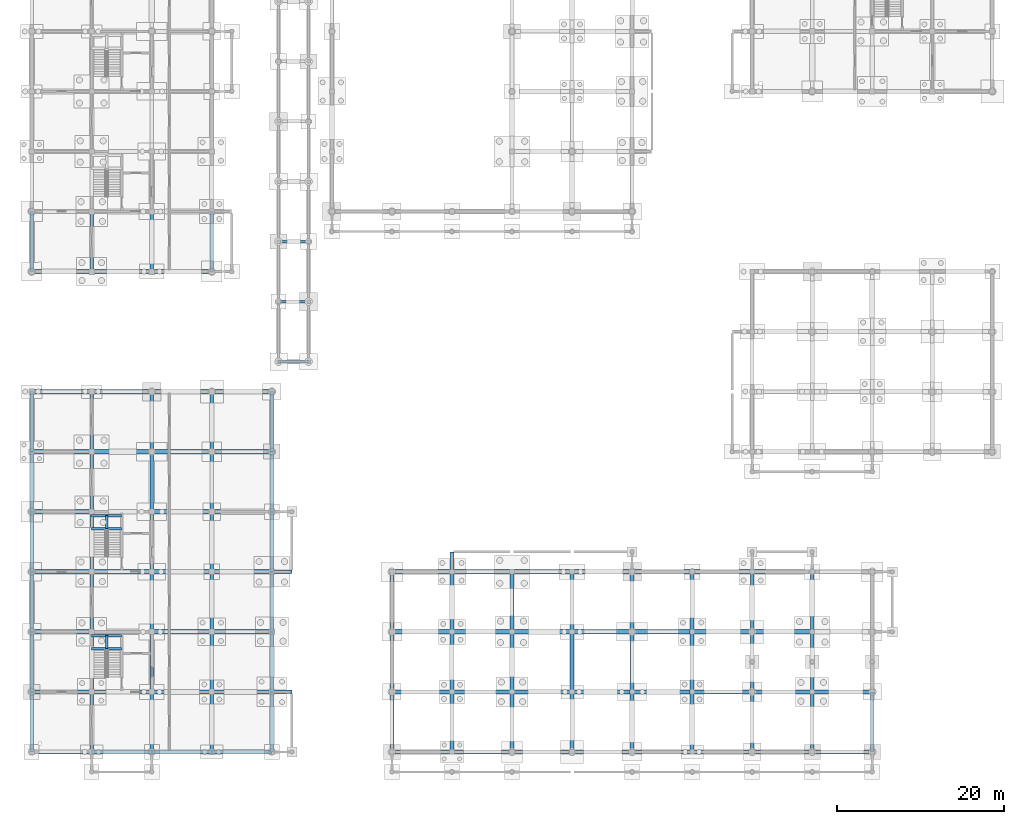
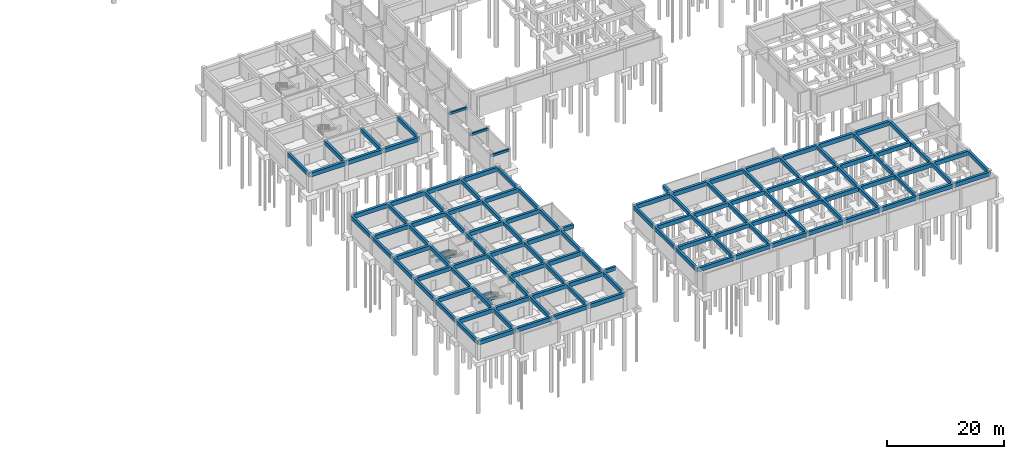
# One storey, part 20 of 38: 130 beams.
"""IFC4 building model written with IfcOpenShell, lengths in metres."""

from ifc_helpers import new_model, si_unit, direction, frame, origin, origin_2d, place, context, subcontext, project, spatial, rectangle, extrude, material, material_profile, profile_set, type_object, element, save


model = new_model("IFC4")

# Units and contexts
model_context = context("Model", 3, precision=1e-05, world=origin(), true_north=direction((0.0, 1.0)))
body_context = subcontext(model_context, "Body", "Model", "MODEL_VIEW")
ifc_project = project(units=[si_unit("LENGTHUNIT", "METRE"), si_unit("AREAUNIT", "SQUARE_METRE"), si_unit("VOLUMEUNIT", "CUBIC_METRE"), si_unit("PLANEANGLEUNIT", "RADIAN"), si_unit("MASSUNIT", "GRAM", prefix="KILO"), si_unit("THERMODYNAMICTEMPERATUREUNIT", "KELVIN"), si_unit("POWERUNIT", "WATT")], contexts=[model_context])

# Site, building, storey
site_placement = place(None, origin())
site = spatial("IfcSite", under=ifc_project, at=site_placement, CompositionType="ELEMENT")
building_placement = place(site_placement, origin())
building = spatial("IfcBuilding", under=site, at=building_placement, Name="Tavuni Mirador Residences", CompositionType="ELEMENT")
storey_placement = place(building_placement, frame((0.0, 0.0, -4.199951171875)))
storey = spatial("IfcBuildingStorey", under=building, at=storey_placement, Name="B1", CompositionType="ELEMENT", Elevation=-4.199951171875)

# Beams
ifc_material = material(Name="Precast concrete C40/50", Category="concrete")
ifc_material_profile_1 = material_profile(ifc_material, rectangle(XDim=0.300048828125, YDim=0.5, at=origin_2d()), Name="PC 300x500", Category="concrete")
ifc_profile_set_1 = profile_set([ifc_material_profile_1], Name="Precast concrete C40/50")
beam_type_1 = type_object("IfcBeamType", Name="BT-B500", PredefinedType="BEAM", material=ifc_profile_set_1)
for number, where, z_axis, x_axis, name in (
    (1, (33.199951171875, 54.0, 3.64990234375), (1.0, 0.0, 0.0), (0.0, 1.0, 0.0), "BMX-PAV-COL-B1-00-00"),
    (2, (33.199951171875, 61.199951171875, 3.64990234375), (1.0, 0.0, 0.0), (0.0, 1.0, 0.0), "BMX-PAV-COL-B1-00-01"),
    (3, (33.199951171875, 68.39990234375, 3.64990234375), (1.0, 0.0, 0.0), (0.0, 1.0, 0.0), "BMX-PAV-COL-B1-00-02"),
):
    element("IfcBeam", number, at=place(storey_placement, frame(where, z_axis=z_axis, x_axis=x_axis)), inside=storey, type_object=beam_type_1, Name=name, PredefinedType="BEAM", context=body_context, shape_type="SweptSolid", body=[
        extrude(rectangle(XDim=0.300048828125, YDim=0.5, at=origin_2d()), origin(), (0.0, 0.0, 1.0), 3.60009765625),
    ])
for number, where, z_axis, x_axis, name in (
    (4, (10.800048828125, 19.590087890625, 1.669921875), (1.0, 0.0, 0.0), (0.0, 1.0, 0.0), "HLB1-C1-B1"),
    (5, (10.800048828125, 21.14990234375, 1.669921875), (1.0, 0.0, 0.0), (0.0, 1.0, 0.0), "HLB2-C1-B1"),
):
    element("IfcBeam", number, at=place(storey_placement, frame(where, z_axis=z_axis, x_axis=x_axis)), inside=storey, type_object=beam_type_1, Name=name, PredefinedType="BEAM", context=body_context, shape_type="SweptSolid", body=[
        extrude(rectangle(XDim=0.300048828125, YDim=0.5, at=origin_2d()), origin(), (0.0, 0.0, 1.0), 3.599853515625),
    ])
beam_1_placement = place(storey_placement, frame((12.60009765625, 19.590087890625, 1.669921875), z_axis=(0.0, 1.0, 0.0), x_axis=(-1.0, 0.0, 0.0)))
element("IfcBeam", 6, at=beam_1_placement, inside=storey, type_object=beam_type_1, Name="HLB3-C1-B1", PredefinedType="BEAM", context=body_context, shape_type="SweptSolid", body=[
    extrude(rectangle(XDim=0.300048828125, YDim=0.5, at=origin_2d()), origin(), (0.0, 0.0, 1.0), 1.559814453125),
])
for number, where, z_axis, x_axis, name in (
    (7, (10.800048828125, 33.989990234375, 1.669921875), (1.0, 0.0, 0.0), (0.0, 1.0, 0.0), "HLB1-C2-B1"),
    (8, (10.800048828125, 35.550048828125, 1.669921875), (1.0, 0.0, 0.0), (0.0, 1.0, 0.0), "HLB2-C2-B1"),
):
    element("IfcBeam", number, at=place(storey_placement, frame(where, z_axis=z_axis, x_axis=x_axis)), inside=storey, type_object=beam_type_1, Name=name, PredefinedType="BEAM", context=body_context, shape_type="SweptSolid", body=[
        extrude(rectangle(XDim=0.300048828125, YDim=0.5, at=origin_2d()), origin(), (0.0, 0.0, 1.0), 3.599853515625),
    ])
beam_2_placement = place(storey_placement, frame((12.60009765625, 33.989990234375, 1.669921875), z_axis=(0.0, 1.0, 0.0), x_axis=(-1.0, 0.0, 0.0)))
element("IfcBeam", 9, at=beam_2_placement, inside=storey, type_object=beam_type_1, Name="HLB3-C2-B1", PredefinedType="BEAM", context=body_context, shape_type="SweptSolid", body=[
    extrude(rectangle(XDim=0.300048828125, YDim=0.5, at=origin_2d()), origin(), (0.0, 0.0, 1.0), 1.56005859375),
])
ifc_material_profile_2 = material_profile(ifc_material, rectangle(XDim=0.449951171875, YDim=0.800048828125, at=origin_2d()), Name="RC 450x800", Category="concrete")
ifc_profile_set_2 = profile_set([ifc_material_profile_2], Name="Precast concrete C40/50")
beam_type_2 = type_object("IfcBeamType", Name="BT-G800", PredefinedType="USERDEFINED", material=ifc_profile_set_2)
beam_3_placement = place(storey_placement, frame((46.800048828125, 7.199951171875, 3.5), z_axis=(0.0, 1.0, 0.0), x_axis=(-1.0, 0.0, 0.0)))
element("IfcBeam", 10, at=beam_3_placement, inside=storey, type_object=beam_type_2, Name="BMY-PAV-SHOP-B1-00-00", ObjectType="GIRDER", PredefinedType="USERDEFINED", context=body_context, shape_type="SweptSolid", body=[
    extrude(rectangle(XDim=0.449951171875, YDim=0.800048828125, at=origin_2d()), origin(), (0.0, 0.0, 1.0), 7.199951171875),
])
beam_4_placement = place(storey_placement, frame((46.800048828125, 14.39990234375, 3.5), z_axis=(0.0, 1.0, 0.0), x_axis=(-1.0, 0.0, 0.0)))
element("IfcBeam", 11, at=beam_4_placement, inside=storey, type_object=beam_type_2, Name="BMY-PAV-SHOP-B1-00-01", ObjectType="GIRDER", PredefinedType="USERDEFINED", context=body_context, shape_type="SweptSolid", body=[
    extrude(rectangle(XDim=0.449951171875, YDim=0.800048828125, at=origin_2d()), origin(), (0.0, 0.0, 1.0), 7.2001953125),
])
for number, where, z_axis, x_axis, name in (
    (12, (46.800048828125, 21.60009765625, 3.5), (0.0, 1.0, 0.0), (-1.0, 0.0, 0.0), "BMY-PAV-SHOP-B1-00-02"),
    (13, (54.0, 7.199951171875, 3.5), (0.0, 1.0, 0.0), (-1.0, 0.0, 0.0), "BMY-PAV-SHOP-B1-01-00"),
):
    element("IfcBeam", number, at=place(storey_placement, frame(where, z_axis=z_axis, x_axis=x_axis)), inside=storey, type_object=beam_type_2, Name=name, ObjectType="GIRDER", PredefinedType="USERDEFINED", context=body_context, shape_type="SweptSolid", body=[
        extrude(rectangle(XDim=0.449951171875, YDim=0.800048828125, at=origin_2d()), origin(), (0.0, 0.0, 1.0), 7.199951171875),
    ])
beam_5_placement = place(storey_placement, frame((54.0, 14.39990234375, 3.5), z_axis=(0.0, 1.0, 0.0), x_axis=(-1.0, 0.0, 0.0)))
element("IfcBeam", 14, at=beam_5_placement, inside=storey, type_object=beam_type_2, Name="BMY-PAV-SHOP-B1-01-01", ObjectType="GIRDER", PredefinedType="USERDEFINED", context=body_context, shape_type="SweptSolid", body=[
    extrude(rectangle(XDim=0.449951171875, YDim=0.800048828125, at=origin_2d()), origin(), (0.0, 0.0, 1.0), 7.2001953125),
])
for number, where, z_axis, x_axis, name in (
    (15, (54.0, 21.60009765625, 3.5), (0.0, 1.0, 0.0), (-1.0, 0.0, 0.0), "BMY-PAV-SHOP-B1-01-02"),
    (16, (61.199951171875, 7.199951171875, 3.5), (0.0, 1.0, 0.0), (-1.0, 0.0, 0.0), "BMY-PAV-SHOP-B1-02-00"),
):
    element("IfcBeam", number, at=place(storey_placement, frame(where, z_axis=z_axis, x_axis=x_axis)), inside=storey, type_object=beam_type_2, Name=name, ObjectType="GIRDER", PredefinedType="USERDEFINED", context=body_context, shape_type="SweptSolid", body=[
        extrude(rectangle(XDim=0.449951171875, YDim=0.800048828125, at=origin_2d()), origin(), (0.0, 0.0, 1.0), 7.199951171875),
    ])
beam_6_placement = place(storey_placement, frame((61.199951171875, 14.39990234375, 3.5), z_axis=(0.0, 1.0, 0.0), x_axis=(-1.0, 0.0, 0.0)))
element("IfcBeam", 17, at=beam_6_placement, inside=storey, type_object=beam_type_2, Name="BMY-PAV-SHOP-B1-02-01", ObjectType="GIRDER", PredefinedType="USERDEFINED", context=body_context, shape_type="SweptSolid", body=[
    extrude(rectangle(XDim=0.449951171875, YDim=0.800048828125, at=origin_2d()), origin(), (0.0, 0.0, 1.0), 7.2001953125),
])
for number, where, z_axis, x_axis, name in (
    (18, (61.199951171875, 21.60009765625, 3.5), (0.0, 1.0, 0.0), (-1.0, 0.0, 0.0), "BMY-PAV-SHOP-B1-02-02"),
    (19, (68.39990234375, 7.199951171875, 3.5), (0.0, 1.0, 0.0), (-1.0, 0.0, 0.0), "BMY-PAV-SHOP-B1-03-00"),
):
    element("IfcBeam", number, at=place(storey_placement, frame(where, z_axis=z_axis, x_axis=x_axis)), inside=storey, type_object=beam_type_2, Name=name, ObjectType="GIRDER", PredefinedType="USERDEFINED", context=body_context, shape_type="SweptSolid", body=[
        extrude(rectangle(XDim=0.449951171875, YDim=0.800048828125, at=origin_2d()), origin(), (0.0, 0.0, 1.0), 7.199951171875),
    ])
beam_7_placement = place(storey_placement, frame((68.39990234375, 14.39990234375, 3.5), z_axis=(0.0, 1.0, 0.0), x_axis=(-1.0, 0.0, 0.0)))
element("IfcBeam", 20, at=beam_7_placement, inside=storey, type_object=beam_type_2, Name="BMY-PAV-SHOP-B1-03-01", ObjectType="GIRDER", PredefinedType="USERDEFINED", context=body_context, shape_type="SweptSolid", body=[
    extrude(rectangle(XDim=0.449951171875, YDim=0.800048828125, at=origin_2d()), origin(), (0.0, 0.0, 1.0), 7.2001953125),
])
for number, where, z_axis, x_axis, name in (
    (21, (68.39990234375, 21.60009765625, 3.5), (0.0, 1.0, 0.0), (-1.0, 0.0, 0.0), "BMY-PAV-SHOP-B1-03-02"),
    (22, (75.60009765625, 7.199951171875, 3.5), (0.0, 1.0, 0.0), (-1.0, 0.0, 0.0), "BMY-PAV-SHOP-B1-04-00"),
):
    element("IfcBeam", number, at=place(storey_placement, frame(where, z_axis=z_axis, x_axis=x_axis)), inside=storey, type_object=beam_type_2, Name=name, ObjectType="GIRDER", PredefinedType="USERDEFINED", context=body_context, shape_type="SweptSolid", body=[
        extrude(rectangle(XDim=0.449951171875, YDim=0.800048828125, at=origin_2d()), origin(), (0.0, 0.0, 1.0), 7.199951171875),
    ])
beam_8_placement = place(storey_placement, frame((75.60009765625, 14.39990234375, 3.5), z_axis=(0.0, 1.0, 0.0), x_axis=(-1.0, 0.0, 0.0)))
element("IfcBeam", 23, at=beam_8_placement, inside=storey, type_object=beam_type_2, Name="BMY-PAV-SHOP-B1-04-01", ObjectType="GIRDER", PredefinedType="USERDEFINED", context=body_context, shape_type="SweptSolid", body=[
    extrude(rectangle(XDim=0.449951171875, YDim=0.800048828125, at=origin_2d()), origin(), (0.0, 0.0, 1.0), 7.2001953125),
])
for number, where, z_axis, x_axis, name in (
    (24, (75.60009765625, 21.60009765625, 3.5), (0.0, 1.0, 0.0), (-1.0, 0.0, 0.0), "BMY-PAV-SHOP-B1-04-02"),
    (25, (82.800048828125, 7.199951171875, 3.5), (0.0, 1.0, 0.0), (-1.0, 0.0, 0.0), "BMY-PAV-SHOP-B1-05-00"),
):
    element("IfcBeam", number, at=place(storey_placement, frame(where, z_axis=z_axis, x_axis=x_axis)), inside=storey, type_object=beam_type_2, Name=name, ObjectType="GIRDER", PredefinedType="USERDEFINED", context=body_context, shape_type="SweptSolid", body=[
        extrude(rectangle(XDim=0.449951171875, YDim=0.800048828125, at=origin_2d()), origin(), (0.0, 0.0, 1.0), 7.199951171875),
    ])
beam_9_placement = place(storey_placement, frame((82.800048828125, 14.39990234375, 3.5), z_axis=(0.0, 1.0, 0.0), x_axis=(-1.0, 0.0, 0.0)))
element("IfcBeam", 26, at=beam_9_placement, inside=storey, type_object=beam_type_2, Name="BMY-PAV-SHOP-B1-05-01", ObjectType="GIRDER", PredefinedType="USERDEFINED", context=body_context, shape_type="SweptSolid", body=[
    extrude(rectangle(XDim=0.449951171875, YDim=0.800048828125, at=origin_2d()), origin(), (0.0, 0.0, 1.0), 7.2001953125),
])
for number, where, z_axis, x_axis, name in (
    (27, (82.800048828125, 21.60009765625, 3.5), (0.0, 1.0, 0.0), (-1.0, 0.0, 0.0), "BMY-PAV-SHOP-B1-05-02"),
    (28, (90.0, 7.199951171875, 3.5), (0.0, 1.0, 0.0), (-1.0, 0.0, 0.0), "BMY-PAV-SHOP-B1-06-00"),
):
    element("IfcBeam", number, at=place(storey_placement, frame(where, z_axis=z_axis, x_axis=x_axis)), inside=storey, type_object=beam_type_2, Name=name, ObjectType="GIRDER", PredefinedType="USERDEFINED", context=body_context, shape_type="SweptSolid", body=[
        extrude(rectangle(XDim=0.449951171875, YDim=0.800048828125, at=origin_2d()), origin(), (0.0, 0.0, 1.0), 7.199951171875),
    ])
beam_10_placement = place(storey_placement, frame((90.0, 14.39990234375, 3.5), z_axis=(0.0, 1.0, 0.0), x_axis=(-1.0, 0.0, 0.0)))
element("IfcBeam", 29, at=beam_10_placement, inside=storey, type_object=beam_type_2, Name="BMY-PAV-SHOP-B1-06-01", ObjectType="GIRDER", PredefinedType="USERDEFINED", context=body_context, shape_type="SweptSolid", body=[
    extrude(rectangle(XDim=0.449951171875, YDim=0.800048828125, at=origin_2d()), origin(), (0.0, 0.0, 1.0), 7.2001953125),
])
for number, where, z_axis, x_axis, name in (
    (30, (90.0, 21.60009765625, 3.5), (0.0, 1.0, 0.0), (-1.0, 0.0, 0.0), "BMY-PAV-SHOP-B1-06-02"),
    (31, (97.199951171875, 7.199951171875, 3.5), (0.0, 1.0, 0.0), (-1.0, 0.0, 0.0), "BMY-PAV-SHOP-B1-07-00"),
):
    element("IfcBeam", number, at=place(storey_placement, frame(where, z_axis=z_axis, x_axis=x_axis)), inside=storey, type_object=beam_type_2, Name=name, ObjectType="GIRDER", PredefinedType="USERDEFINED", context=body_context, shape_type="SweptSolid", body=[
        extrude(rectangle(XDim=0.449951171875, YDim=0.800048828125, at=origin_2d()), origin(), (0.0, 0.0, 1.0), 7.199951171875),
    ])
beam_11_placement = place(storey_placement, frame((97.199951171875, 14.39990234375, 3.5), z_axis=(0.0, 1.0, 0.0), x_axis=(-1.0, 0.0, 0.0)))
element("IfcBeam", 32, at=beam_11_placement, inside=storey, type_object=beam_type_2, Name="BMY-PAV-SHOP-B1-07-01", ObjectType="GIRDER", PredefinedType="USERDEFINED", context=body_context, shape_type="SweptSolid", body=[
    extrude(rectangle(XDim=0.449951171875, YDim=0.800048828125, at=origin_2d()), origin(), (0.0, 0.0, 1.0), 7.2001953125),
])
for number, where, z_axis, x_axis, name in (
    (33, (97.199951171875, 21.60009765625, 3.5), (0.0, 1.0, 0.0), (-1.0, 0.0, 0.0), "BMY-PAV-SHOP-B1-07-02"),
    (34, (104.39990234375, 7.199951171875, 3.5), (0.0, 1.0, 0.0), (-1.0, 0.0, 0.0), "BMY-PAV-SHOP-B1-08-00"),
):
    element("IfcBeam", number, at=place(storey_placement, frame(where, z_axis=z_axis, x_axis=x_axis)), inside=storey, type_object=beam_type_2, Name=name, ObjectType="GIRDER", PredefinedType="USERDEFINED", context=body_context, shape_type="SweptSolid", body=[
        extrude(rectangle(XDim=0.449951171875, YDim=0.800048828125, at=origin_2d()), origin(), (0.0, 0.0, 1.0), 7.199951171875),
    ])
for number, where, z_axis, x_axis, name in (
    (35, (32.39990234375, 14.39990234375, 3.75), (1.0, 0.0, 0.0), (0.0, 1.0, 0.0), "BM-APR-APR-BLKA-E1-2"),
    (36, (32.39990234375, 28.800048828125, 3.75), (1.0, 0.0, 0.0), (0.0, 1.0, 0.0), "BM-APR-APR-BLKA-E2-1"),
):
    element("IfcBeam", number, at=place(storey_placement, frame(where, z_axis=z_axis, x_axis=x_axis)), inside=storey, type_object=beam_type_2, Name=name, ObjectType="GIRDER", PredefinedType="USERDEFINED", context=body_context, shape_type="SweptSolid", body=[
        extrude(rectangle(XDim=0.449951171875, YDim=0.800048828125, at=origin_2d()), origin(), (0.0, 0.0, 1.0), 2.400146484375),
    ])
beam_12_placement = place(storey_placement, frame((54.0, 28.800048828125, 3.75), z_axis=(0.0, 1.0, 0.0), x_axis=(-1.0, 0.0, 0.0)))
element("IfcBeam", 37, at=beam_12_placement, inside=storey, type_object=beam_type_2, Name="BM-APR-APR-SHOP-N-3", ObjectType="GIRDER", PredefinedType="USERDEFINED", context=body_context, shape_type="SweptSolid", body=[
    extrude(rectangle(XDim=0.449951171875, YDim=0.800048828125, at=origin_2d()), origin(), (0.0, 0.0, 1.0), 2.39990234375),
])
beam_13_placement = place(storey_placement, frame((3.60009765625, 7.199951171875, 3.47998046875), z_axis=(0.0, 1.0, 0.0), x_axis=(-1.0, 0.0, 0.0)))
element("IfcBeam", 38, at=beam_13_placement, inside=storey, type_object=beam_type_2, Name="BMY-BLK-A-B1-00-00", ObjectType="GIRDER", PredefinedType="USERDEFINED", context=body_context, shape_type="SweptSolid", body=[
    extrude(rectangle(XDim=0.449951171875, YDim=0.800048828125, at=origin_2d()), origin(), (0.0, 0.0, 1.0), 7.199951171875),
])
beam_14_placement = place(storey_placement, frame((3.60009765625, 14.39990234375, 3.47998046875), z_axis=(0.0, 1.0, 0.0), x_axis=(-1.0, 0.0, 0.0)))
element("IfcBeam", 39, at=beam_14_placement, inside=storey, type_object=beam_type_2, Name="BMY-BLK-A-B1-00-01", ObjectType="GIRDER", PredefinedType="USERDEFINED", context=body_context, shape_type="SweptSolid", body=[
    extrude(rectangle(XDim=0.449951171875, YDim=0.800048828125, at=origin_2d()), origin(), (0.0, 0.0, 1.0), 7.2001953125),
])
for number, where, z_axis, x_axis, name in (
    (40, (3.60009765625, 21.60009765625, 3.47998046875), (0.0, 1.0, 0.0), (-1.0, 0.0, 0.0), "BMY-BLK-A-B1-00-02"),
    (41, (3.60009765625, 28.800048828125, 3.47998046875), (0.0, 1.0, 0.0), (-1.0, 0.0, 0.0), "BMY-BLK-A-B1-00-03"),
    (42, (3.60009765625, 36.0, 3.47998046875), (0.0, 1.0, 0.0), (-1.0, 0.0, 0.0), "BMY-BLK-A-B1-00-04"),
    (43, (3.60009765625, 43.199951171875, 3.47998046875), (0.0, 1.0, 0.0), (-1.0, 0.0, 0.0), "BMY-BLK-A-B1-00-05"),
    (44, (10.800048828125, 7.199951171875, 3.47998046875), (0.0, 1.0, 0.0), (-1.0, 0.0, 0.0), "BMY-BLK-A-B1-01-00"),
):
    element("IfcBeam", number, at=place(storey_placement, frame(where, z_axis=z_axis, x_axis=x_axis)), inside=storey, type_object=beam_type_2, Name=name, ObjectType="GIRDER", PredefinedType="USERDEFINED", context=body_context, shape_type="SweptSolid", body=[
        extrude(rectangle(XDim=0.449951171875, YDim=0.800048828125, at=origin_2d()), origin(), (0.0, 0.0, 1.0), 7.199951171875),
    ])
beam_15_placement = place(storey_placement, frame((10.800048828125, 14.39990234375, 3.47998046875), z_axis=(0.0, 1.0, 0.0), x_axis=(-1.0, 0.0, 0.0)))
element("IfcBeam", 45, at=beam_15_placement, inside=storey, type_object=beam_type_2, Name="BMY-BLK-A-B1-01-01", ObjectType="GIRDER", PredefinedType="USERDEFINED", context=body_context, shape_type="SweptSolid", body=[
    extrude(rectangle(XDim=0.449951171875, YDim=0.800048828125, at=origin_2d()), origin(), (0.0, 0.0, 1.0), 7.2001953125),
])
for number, where, z_axis, x_axis, name in (
    (46, (10.800048828125, 21.60009765625, 3.47998046875), (0.0, 1.0, 0.0), (-1.0, 0.0, 0.0), "BMY-BLK-A-B1-01-02"),
    (47, (10.800048828125, 28.800048828125, 3.47998046875), (0.0, 1.0, 0.0), (-1.0, 0.0, 0.0), "BMY-BLK-A-B1-01-03"),
    (48, (10.800048828125, 36.0, 3.47998046875), (0.0, 1.0, 0.0), (-1.0, 0.0, 0.0), "BMY-BLK-A-B1-01-04"),
    (49, (10.800048828125, 43.199951171875, 3.47998046875), (0.0, 1.0, 0.0), (-1.0, 0.0, 0.0), "BMY-BLK-A-B1-01-05"),
    (50, (18.0, 7.199951171875, 3.47998046875), (0.0, 1.0, 0.0), (-1.0, 0.0, 0.0), "BMY-BLK-A-B1-02-00"),
):
    element("IfcBeam", number, at=place(storey_placement, frame(where, z_axis=z_axis, x_axis=x_axis)), inside=storey, type_object=beam_type_2, Name=name, ObjectType="GIRDER", PredefinedType="USERDEFINED", context=body_context, shape_type="SweptSolid", body=[
        extrude(rectangle(XDim=0.449951171875, YDim=0.800048828125, at=origin_2d()), origin(), (0.0, 0.0, 1.0), 7.199951171875),
    ])
beam_16_placement = place(storey_placement, frame((18.0, 14.39990234375, 3.47998046875), z_axis=(0.0, 1.0, 0.0), x_axis=(-1.0, 0.0, 0.0)))
element("IfcBeam", 51, at=beam_16_placement, inside=storey, type_object=beam_type_2, Name="BMY-BLK-A-B1-02-01", ObjectType="GIRDER", PredefinedType="USERDEFINED", context=body_context, shape_type="SweptSolid", body=[
    extrude(rectangle(XDim=0.449951171875, YDim=0.800048828125, at=origin_2d()), origin(), (0.0, 0.0, 1.0), 7.2001953125),
])
for number, where, z_axis, x_axis, name in (
    (52, (18.0, 21.60009765625, 3.47998046875), (0.0, 1.0, 0.0), (-1.0, 0.0, 0.0), "BMY-BLK-A-B1-02-02"),
    (53, (18.0, 28.800048828125, 3.47998046875), (0.0, 1.0, 0.0), (-1.0, 0.0, 0.0), "BMY-BLK-A-B1-02-03"),
    (54, (18.0, 36.0, 3.47998046875), (0.0, 1.0, 0.0), (-1.0, 0.0, 0.0), "BMY-BLK-A-B1-02-04"),
    (55, (18.0, 43.199951171875, 3.47998046875), (0.0, 1.0, 0.0), (-1.0, 0.0, 0.0), "BMY-BLK-A-B1-02-05"),
    (56, (25.199951171875, 7.199951171875, 3.47998046875), (0.0, 1.0, 0.0), (-1.0, 0.0, 0.0), "BMY-BLK-A-B1-03-00"),
):
    element("IfcBeam", number, at=place(storey_placement, frame(where, z_axis=z_axis, x_axis=x_axis)), inside=storey, type_object=beam_type_2, Name=name, ObjectType="GIRDER", PredefinedType="USERDEFINED", context=body_context, shape_type="SweptSolid", body=[
        extrude(rectangle(XDim=0.449951171875, YDim=0.800048828125, at=origin_2d()), origin(), (0.0, 0.0, 1.0), 7.199951171875),
    ])
beam_17_placement = place(storey_placement, frame((25.199951171875, 14.39990234375, 3.47998046875), z_axis=(0.0, 1.0, 0.0), x_axis=(-1.0, 0.0, 0.0)))
element("IfcBeam", 57, at=beam_17_placement, inside=storey, type_object=beam_type_2, Name="BMY-BLK-A-B1-03-01", ObjectType="GIRDER", PredefinedType="USERDEFINED", context=body_context, shape_type="SweptSolid", body=[
    extrude(rectangle(XDim=0.449951171875, YDim=0.800048828125, at=origin_2d()), origin(), (0.0, 0.0, 1.0), 7.2001953125),
])
for number, where, z_axis, x_axis, name in (
    (58, (25.199951171875, 21.60009765625, 3.47998046875), (0.0, 1.0, 0.0), (-1.0, 0.0, 0.0), "BMY-BLK-A-B1-03-02"),
    (59, (25.199951171875, 28.800048828125, 3.47998046875), (0.0, 1.0, 0.0), (-1.0, 0.0, 0.0), "BMY-BLK-A-B1-03-03"),
    (60, (25.199951171875, 36.0, 3.47998046875), (0.0, 1.0, 0.0), (-1.0, 0.0, 0.0), "BMY-BLK-A-B1-03-04"),
    (61, (25.199951171875, 43.199951171875, 3.47998046875), (0.0, 1.0, 0.0), (-1.0, 0.0, 0.0), "BMY-BLK-A-B1-03-05"),
    (62, (32.39990234375, 7.199951171875, 3.47998046875), (0.0, 1.0, 0.0), (-1.0, 0.0, 0.0), "BMY-BLK-A-B1-04-00"),
):
    element("IfcBeam", number, at=place(storey_placement, frame(where, z_axis=z_axis, x_axis=x_axis)), inside=storey, type_object=beam_type_2, Name=name, ObjectType="GIRDER", PredefinedType="USERDEFINED", context=body_context, shape_type="SweptSolid", body=[
        extrude(rectangle(XDim=0.449951171875, YDim=0.800048828125, at=origin_2d()), origin(), (0.0, 0.0, 1.0), 7.199951171875),
    ])
beam_18_placement = place(storey_placement, frame((32.39990234375, 14.39990234375, 3.47998046875), z_axis=(0.0, 1.0, 0.0), x_axis=(-1.0, 0.0, 0.0)))
element("IfcBeam", 63, at=beam_18_placement, inside=storey, type_object=beam_type_2, Name="BMY-BLK-A-B1-04-01", ObjectType="GIRDER", PredefinedType="USERDEFINED", context=body_context, shape_type="SweptSolid", body=[
    extrude(rectangle(XDim=0.449951171875, YDim=0.800048828125, at=origin_2d()), origin(), (0.0, 0.0, 1.0), 7.2001953125),
])
for number, where, z_axis, x_axis, name in (
    (64, (32.39990234375, 21.60009765625, 3.47998046875), (0.0, 1.0, 0.0), (-1.0, 0.0, 0.0), "BMY-BLK-A-B1-04-02"),
    (65, (32.39990234375, 28.800048828125, 3.47998046875), (0.0, 1.0, 0.0), (-1.0, 0.0, 0.0), "BMY-BLK-A-B1-04-03"),
    (66, (32.39990234375, 36.0, 3.47998046875), (0.0, 1.0, 0.0), (-1.0, 0.0, 0.0), "BMY-BLK-A-B1-04-04"),
    (67, (32.39990234375, 43.199951171875, 3.47998046875), (0.0, 1.0, 0.0), (-1.0, 0.0, 0.0), "BMY-BLK-A-B1-04-05"),
    (68, (3.60009765625, 64.800048828125, 3.47998046875), (0.0, 1.0, 0.0), (-1.0, 0.0, 0.0), "BMY-BLK-B-B1-00-00"),
    (69, (10.800048828125, 64.800048828125, 3.47998046875), (0.0, 1.0, 0.0), (-1.0, 0.0, 0.0), "BMY-BLK-B-B1-01-00"),
    (70, (18.0, 64.800048828125, 3.47998046875), (0.0, 1.0, 0.0), (-1.0, 0.0, 0.0), "BMY-BLK-B-B1-02-00"),
    (71, (25.199951171875, 64.800048828125, 3.47998046875), (0.0, 1.0, 0.0), (-1.0, 0.0, 0.0), "BMY-BLK-B-B1-03-00"),
):
    element("IfcBeam", number, at=place(storey_placement, frame(where, z_axis=z_axis, x_axis=x_axis)), inside=storey, type_object=beam_type_2, Name=name, ObjectType="GIRDER", PredefinedType="USERDEFINED", context=body_context, shape_type="SweptSolid", body=[
        extrude(rectangle(XDim=0.449951171875, YDim=0.800048828125, at=origin_2d()), origin(), (0.0, 0.0, 1.0), 7.199951171875),
    ])
ifc_material_profile_3 = material_profile(ifc_material, rectangle(XDim=0.5, YDim=0.85009765625, at=origin_2d()), Name="RC 500x850", Category="concrete")
ifc_profile_set_3 = profile_set([ifc_material_profile_3], Name="Precast concrete C40/50")
beam_type_3 = type_object("IfcBeamType", Name="BT-G850", PredefinedType="USERDEFINED", material=ifc_profile_set_3)
for number, where, z_axis, x_axis, name in (
    (72, (46.800048828125, 7.199951171875, 3.474853515625), (1.0, 0.0, 0.0), (0.0, 1.0, 0.0), "BMX-PAV-SHOP-B1-00-00"),
    (73, (54.0, 7.199951171875, 3.474853515625), (1.0, 0.0, 0.0), (0.0, 1.0, 0.0), "BMX-PAV-SHOP-B1-01-00"),
    (74, (61.199951171875, 7.199951171875, 3.474853515625), (1.0, 0.0, 0.0), (0.0, 1.0, 0.0), "BMX-PAV-SHOP-B1-02-00"),
):
    element("IfcBeam", number, at=place(storey_placement, frame(where, z_axis=z_axis, x_axis=x_axis)), inside=storey, type_object=beam_type_3, Name=name, ObjectType="GIRDER", PredefinedType="USERDEFINED", context=body_context, shape_type="SweptSolid", body=[
        extrude(rectangle(XDim=0.5, YDim=0.85009765625, at=origin_2d()), origin(), (0.0, 0.0, 1.0), 7.199951171875),
    ])
beam_19_placement = place(storey_placement, frame((68.39990234375, 7.199951171875, 3.474853515625), z_axis=(1.0, 0.0, 0.0), x_axis=(0.0, 1.0, 0.0)))
element("IfcBeam", 75, at=beam_19_placement, inside=storey, type_object=beam_type_3, Name="BMX-PAV-SHOP-B1-03-00", ObjectType="GIRDER", PredefinedType="USERDEFINED", context=body_context, shape_type="SweptSolid", body=[
    extrude(rectangle(XDim=0.5, YDim=0.85009765625, at=origin_2d()), origin(), (0.0, 0.0, 1.0), 7.2001953125),
])
for number, where, z_axis, x_axis, name in (
    (76, (75.60009765625, 7.199951171875, 3.474853515625), (1.0, 0.0, 0.0), (0.0, 1.0, 0.0), "BMX-PAV-SHOP-B1-04-00"),
    (77, (82.800048828125, 7.199951171875, 3.474853515625), (1.0, 0.0, 0.0), (0.0, 1.0, 0.0), "BMX-PAV-SHOP-B1-05-00"),
    (78, (90.0, 7.199951171875, 3.474853515625), (1.0, 0.0, 0.0), (0.0, 1.0, 0.0), "BMX-PAV-SHOP-B1-06-00"),
    (79, (97.199951171875, 7.199951171875, 3.474853515625), (1.0, 0.0, 0.0), (0.0, 1.0, 0.0), "BMX-PAV-SHOP-B1-07-00"),
    (80, (46.800048828125, 14.39990234375, 3.474853515625), (1.0, 0.0, 0.0), (0.0, 1.0, 0.0), "BMX-PAV-SHOP-B1-00-01"),
    (81, (54.0, 14.39990234375, 3.474853515625), (1.0, 0.0, 0.0), (0.0, 1.0, 0.0), "BMX-PAV-SHOP-B1-01-01"),
    (82, (61.199951171875, 14.39990234375, 3.474853515625), (1.0, 0.0, 0.0), (0.0, 1.0, 0.0), "BMX-PAV-SHOP-B1-02-01"),
):
    element("IfcBeam", number, at=place(storey_placement, frame(where, z_axis=z_axis, x_axis=x_axis)), inside=storey, type_object=beam_type_3, Name=name, ObjectType="GIRDER", PredefinedType="USERDEFINED", context=body_context, shape_type="SweptSolid", body=[
        extrude(rectangle(XDim=0.5, YDim=0.85009765625, at=origin_2d()), origin(), (0.0, 0.0, 1.0), 7.199951171875),
    ])
beam_20_placement = place(storey_placement, frame((68.39990234375, 14.39990234375, 3.474853515625), z_axis=(1.0, 0.0, 0.0), x_axis=(0.0, 1.0, 0.0)))
element("IfcBeam", 83, at=beam_20_placement, inside=storey, type_object=beam_type_3, Name="BMX-PAV-SHOP-B1-03-01", ObjectType="GIRDER", PredefinedType="USERDEFINED", context=body_context, shape_type="SweptSolid", body=[
    extrude(rectangle(XDim=0.5, YDim=0.85009765625, at=origin_2d()), origin(), (0.0, 0.0, 1.0), 7.2001953125),
])
for number, where, z_axis, x_axis, name in (
    (84, (75.60009765625, 14.39990234375, 3.474853515625), (1.0, 0.0, 0.0), (0.0, 1.0, 0.0), "BMX-PAV-SHOP-B1-04-01"),
    (85, (82.800048828125, 14.39990234375, 3.474853515625), (1.0, 0.0, 0.0), (0.0, 1.0, 0.0), "BMX-PAV-SHOP-B1-05-01"),
    (86, (90.0, 14.39990234375, 3.474853515625), (1.0, 0.0, 0.0), (0.0, 1.0, 0.0), "BMX-PAV-SHOP-B1-06-01"),
    (87, (97.199951171875, 14.39990234375, 3.474853515625), (1.0, 0.0, 0.0), (0.0, 1.0, 0.0), "BMX-PAV-SHOP-B1-07-01"),
    (88, (46.800048828125, 21.60009765625, 3.474853515625), (1.0, 0.0, 0.0), (0.0, 1.0, 0.0), "BMX-PAV-SHOP-B1-00-02"),
    (89, (54.0, 21.60009765625, 3.474853515625), (1.0, 0.0, 0.0), (0.0, 1.0, 0.0), "BMX-PAV-SHOP-B1-01-02"),
    (90, (61.199951171875, 21.60009765625, 3.474853515625), (1.0, 0.0, 0.0), (0.0, 1.0, 0.0), "BMX-PAV-SHOP-B1-02-02"),
):
    element("IfcBeam", number, at=place(storey_placement, frame(where, z_axis=z_axis, x_axis=x_axis)), inside=storey, type_object=beam_type_3, Name=name, ObjectType="GIRDER", PredefinedType="USERDEFINED", context=body_context, shape_type="SweptSolid", body=[
        extrude(rectangle(XDim=0.5, YDim=0.85009765625, at=origin_2d()), origin(), (0.0, 0.0, 1.0), 7.199951171875),
    ])
beam_21_placement = place(storey_placement, frame((68.39990234375, 21.60009765625, 3.474853515625), z_axis=(1.0, 0.0, 0.0), x_axis=(0.0, 1.0, 0.0)))
element("IfcBeam", 91, at=beam_21_placement, inside=storey, type_object=beam_type_3, Name="BMX-PAV-SHOP-B1-03-02", ObjectType="GIRDER", PredefinedType="USERDEFINED", context=body_context, shape_type="SweptSolid", body=[
    extrude(rectangle(XDim=0.5, YDim=0.85009765625, at=origin_2d()), origin(), (0.0, 0.0, 1.0), 7.2001953125),
])
for number, where, z_axis, x_axis, name in (
    (92, (75.60009765625, 21.60009765625, 3.474853515625), (1.0, 0.0, 0.0), (0.0, 1.0, 0.0), "BMX-PAV-SHOP-B1-04-02"),
    (93, (82.800048828125, 21.60009765625, 3.474853515625), (1.0, 0.0, 0.0), (0.0, 1.0, 0.0), "BMX-PAV-SHOP-B1-05-02"),
    (94, (90.0, 21.60009765625, 3.474853515625), (1.0, 0.0, 0.0), (0.0, 1.0, 0.0), "BMX-PAV-SHOP-B1-06-02"),
    (95, (46.800048828125, 28.800048828125, 3.474853515625), (1.0, 0.0, 0.0), (0.0, 1.0, 0.0), "BMX-PAV-SHOP-B1-00-03"),
    (96, (54.0, 28.800048828125, 3.474853515625), (1.0, 0.0, 0.0), (0.0, 1.0, 0.0), "BMX-PAV-SHOP-B1-01-03"),
    (97, (61.199951171875, 28.800048828125, 3.474853515625), (1.0, 0.0, 0.0), (0.0, 1.0, 0.0), "BMX-PAV-SHOP-B1-02-03"),
):
    element("IfcBeam", number, at=place(storey_placement, frame(where, z_axis=z_axis, x_axis=x_axis)), inside=storey, type_object=beam_type_3, Name=name, ObjectType="GIRDER", PredefinedType="USERDEFINED", context=body_context, shape_type="SweptSolid", body=[
        extrude(rectangle(XDim=0.5, YDim=0.85009765625, at=origin_2d()), origin(), (0.0, 0.0, 1.0), 7.199951171875),
    ])
beam_22_placement = place(storey_placement, frame((68.39990234375, 28.800048828125, 3.474853515625), z_axis=(1.0, 0.0, 0.0), x_axis=(0.0, 1.0, 0.0)))
element("IfcBeam", 98, at=beam_22_placement, inside=storey, type_object=beam_type_3, Name="BMX-PAV-SHOP-B1-03-03", ObjectType="GIRDER", PredefinedType="USERDEFINED", context=body_context, shape_type="SweptSolid", body=[
    extrude(rectangle(XDim=0.5, YDim=0.85009765625, at=origin_2d()), origin(), (0.0, 0.0, 1.0), 7.2001953125),
])
for number, where, z_axis, x_axis, name in (
    (99, (75.60009765625, 28.800048828125, 3.474853515625), (1.0, 0.0, 0.0), (0.0, 1.0, 0.0), "BMX-PAV-SHOP-B1-04-03"),
    (100, (82.800048828125, 28.800048828125, 3.474853515625), (1.0, 0.0, 0.0), (0.0, 1.0, 0.0), "BMX-PAV-SHOP-B1-05-03"),
    (101, (90.0, 28.800048828125, 3.474853515625), (1.0, 0.0, 0.0), (0.0, 1.0, 0.0), "BMX-PAV-SHOP-B1-06-03"),
    (102, (3.60009765625, 7.199951171875, 3.454833984375), (1.0, 0.0, 0.0), (0.0, 1.0, 0.0), "BMX-BLK-A-B1-00-00"),
    (103, (10.800048828125, 7.199951171875, 3.454833984375), (1.0, 0.0, 0.0), (0.0, 1.0, 0.0), "BMX-BLK-A-B1-01-00"),
    (104, (18.0, 7.199951171875, 3.454833984375), (1.0, 0.0, 0.0), (0.0, 1.0, 0.0), "BMX-BLK-A-B1-02-00"),
    (105, (25.199951171875, 7.199951171875, 3.454833984375), (1.0, 0.0, 0.0), (0.0, 1.0, 0.0), "BMX-BLK-A-B1-03-00"),
    (106, (3.60009765625, 14.39990234375, 3.454833984375), (1.0, 0.0, 0.0), (0.0, 1.0, 0.0), "BMX-BLK-A-B1-00-01"),
    (107, (10.800048828125, 14.39990234375, 3.454833984375), (1.0, 0.0, 0.0), (0.0, 1.0, 0.0), "BMX-BLK-A-B1-01-01"),
    (108, (18.0, 14.39990234375, 3.454833984375), (1.0, 0.0, 0.0), (0.0, 1.0, 0.0), "BMX-BLK-A-B1-02-01"),
    (109, (25.199951171875, 14.39990234375, 3.454833984375), (1.0, 0.0, 0.0), (0.0, 1.0, 0.0), "BMX-BLK-A-B1-03-01"),
    (110, (3.60009765625, 21.60009765625, 3.454833984375), (1.0, 0.0, 0.0), (0.0, 1.0, 0.0), "BMX-BLK-A-B1-00-02"),
    (111, (18.0, 21.60009765625, 3.454833984375), (1.0, 0.0, 0.0), (0.0, 1.0, 0.0), "BMX-BLK-A-B1-02-02"),
    (112, (25.199951171875, 21.60009765625, 3.454833984375), (1.0, 0.0, 0.0), (0.0, 1.0, 0.0), "BMX-BLK-A-B1-03-02"),
    (113, (3.60009765625, 28.800048828125, 3.454833984375), (1.0, 0.0, 0.0), (0.0, 1.0, 0.0), "BMX-BLK-A-B1-00-03"),
    (114, (10.800048828125, 28.800048828125, 3.454833984375), (1.0, 0.0, 0.0), (0.0, 1.0, 0.0), "BMX-BLK-A-B1-01-03"),
    (115, (18.0, 28.800048828125, 3.454833984375), (1.0, 0.0, 0.0), (0.0, 1.0, 0.0), "BMX-BLK-A-B1-02-03"),
    (116, (25.199951171875, 28.800048828125, 3.454833984375), (1.0, 0.0, 0.0), (0.0, 1.0, 0.0), "BMX-BLK-A-B1-03-03"),
    (117, (3.60009765625, 36.0, 3.454833984375), (1.0, 0.0, 0.0), (0.0, 1.0, 0.0), "BMX-BLK-A-B1-00-04"),
    (118, (18.0, 36.0, 3.454833984375), (1.0, 0.0, 0.0), (0.0, 1.0, 0.0), "BMX-BLK-A-B1-02-04"),
    (119, (25.199951171875, 36.0, 3.454833984375), (1.0, 0.0, 0.0), (0.0, 1.0, 0.0), "BMX-BLK-A-B1-03-04"),
    (120, (3.60009765625, 43.199951171875, 3.454833984375), (1.0, 0.0, 0.0), (0.0, 1.0, 0.0), "BMX-BLK-A-B1-00-05"),
    (121, (10.800048828125, 43.199951171875, 3.454833984375), (1.0, 0.0, 0.0), (0.0, 1.0, 0.0), "BMX-BLK-A-B1-01-05"),
    (122, (18.0, 43.199951171875, 3.454833984375), (1.0, 0.0, 0.0), (0.0, 1.0, 0.0), "BMX-BLK-A-B1-02-05"),
    (123, (25.199951171875, 43.199951171875, 3.454833984375), (1.0, 0.0, 0.0), (0.0, 1.0, 0.0), "BMX-BLK-A-B1-03-05"),
    (124, (3.60009765625, 50.39990234375, 3.454833984375), (1.0, 0.0, 0.0), (0.0, 1.0, 0.0), "BMX-BLK-A-B1-00-06"),
    (125, (10.800048828125, 50.39990234375, 3.454833984375), (1.0, 0.0, 0.0), (0.0, 1.0, 0.0), "BMX-BLK-A-B1-01-06"),
    (126, (18.0, 50.39990234375, 3.454833984375), (1.0, 0.0, 0.0), (0.0, 1.0, 0.0), "BMX-BLK-A-B1-02-06"),
    (127, (25.199951171875, 50.39990234375, 3.454833984375), (1.0, 0.0, 0.0), (0.0, 1.0, 0.0), "BMX-BLK-A-B1-03-06"),
    (128, (3.60009765625, 64.800048828125, 3.454833984375), (1.0, 0.0, 0.0), (0.0, 1.0, 0.0), "BMX-BLK-B-B1-00-00"),
    (129, (10.800048828125, 64.800048828125, 3.454833984375), (1.0, 0.0, 0.0), (0.0, 1.0, 0.0), "BMX-BLK-B-B1-01-00"),
    (130, (18.0, 64.800048828125, 3.454833984375), (1.0, 0.0, 0.0), (0.0, 1.0, 0.0), "BMX-BLK-B-B1-02-00"),
):
    element("IfcBeam", number, at=place(storey_placement, frame(where, z_axis=z_axis, x_axis=x_axis)), inside=storey, type_object=beam_type_3, Name=name, ObjectType="GIRDER", PredefinedType="USERDEFINED", context=body_context, shape_type="SweptSolid", body=[
        extrude(rectangle(XDim=0.5, YDim=0.85009765625, at=origin_2d()), origin(), (0.0, 0.0, 1.0), 7.199951171875),
    ])

save(model, "model.ifc")
